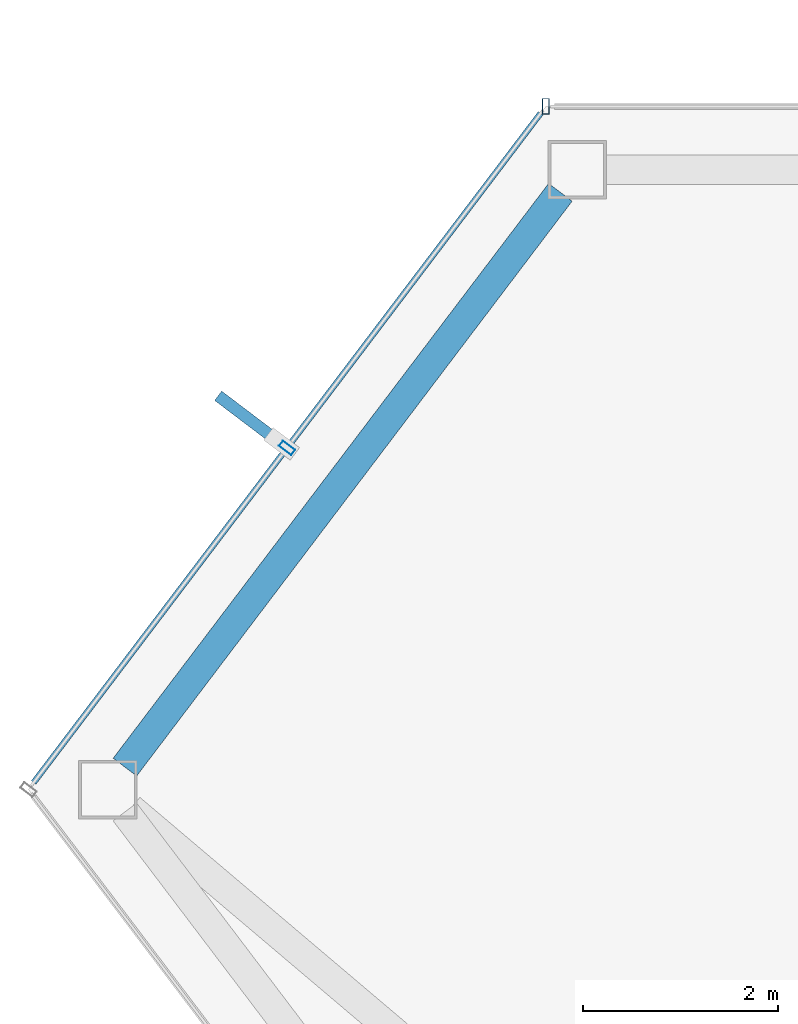
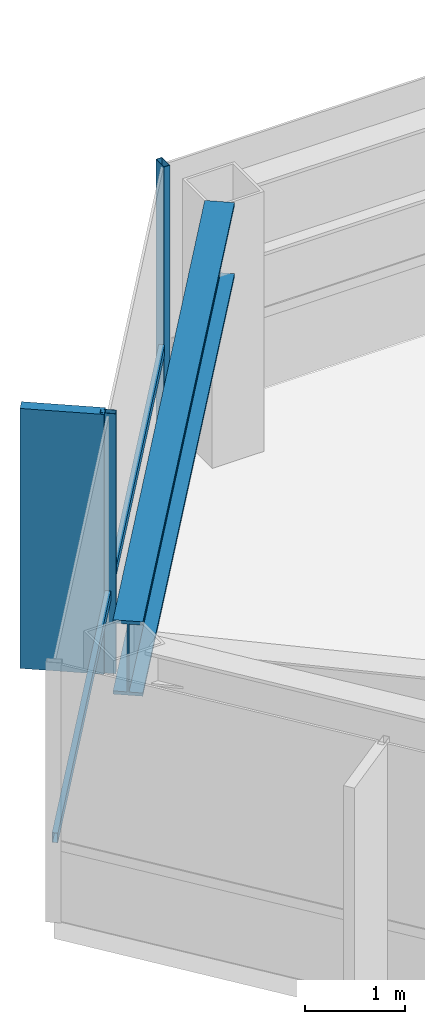
# One storey, part 12 of 27: 4 members, 1 beam, 2 elements without a shape of their own.
"""IFC4 building model written with IfcOpenShell, lengths in metres."""

from ifc_helpers import new_model, si_unit, direction, frame, origin, origin_2d, place, context, subcontext, project, spatial, rectangle, hollow_rectangle, i_section, extrude, material, layer, layer_set, material_profile, profile_set, type_object, element, aggregate, save


model = new_model("IFC4")

# Units and contexts
model_context = context("Model", 3, precision=1e-05, world=origin(), true_north=direction((0.0, 1.0)))
body_context = subcontext(model_context, "Body", "Model", "MODEL_VIEW")
ifc_project = project(units=[si_unit("LENGTHUNIT", "METRE"), si_unit("AREAUNIT", "SQUARE_METRE"), si_unit("VOLUMEUNIT", "CUBIC_METRE"), si_unit("PLANEANGLEUNIT", "RADIAN"), si_unit("MASSUNIT", "GRAM", prefix="KILO")], contexts=[model_context])

# Site, building, storey
site_placement = place(None, origin())
site = spatial("IfcSite", under=ifc_project, at=site_placement, CompositionType="ELEMENT")
building_placement = place(site_placement, origin())
building = spatial("IfcBuilding", under=site, at=building_placement, Name="Zarrinselat Tower", CompositionType="ELEMENT")
storey_placement = place(building_placement, frame((0.0, 0.0, 229.159912109375)))
storey = spatial("IfcBuildingStorey", under=building, at=storey_placement, Name="L57", CompositionType="ELEMENT", Elevation=229.159912109375)

# Beam
ifc_material_1 = material(Name="Steel S460M", Category="steel")
ifc_material_profile_1 = material_profile(ifc_material_1, i_section(OverallWidth=0.302001953125, OverallDepth=0.909912109375, WebThickness=0.02099609375, FlangeThickness=0.0400390625, at=origin_2d()), Name="HEM 900")
ifc_profile_set_1 = profile_set([ifc_material_profile_1], Name="Steel S460M")
beam_type = type_object("IfcBeamType", Name="BM-HEM900", PredefinedType="BEAM", material=ifc_profile_set_1)
beam_placement = place(storey_placement, frame((16.30078125, 41.4111328125, 2.72509765625), z_axis=(0.603848777662, 0.797098898328, 0.0), x_axis=(-0.797098898328, 0.603848777662, 0.0)))
element("IfcBeam", 1, at=beam_placement, inside=storey, type_object=beam_type, Name="L57 Perimeter Spandrel Girder SP05", PredefinedType="BEAM", context=body_context, shape_type="SweptSolid", body=[
    extrude(i_section(OverallWidth=0.302001953125, OverallDepth=0.909912109375, WebThickness=0.02099609375, FlangeThickness=0.0400390625, at=origin_2d()), origin(), (0.0, 0.0, 1.0), 7.385498046875),
])

# Curtain wall, member
ifc_material_2 = material(Name="Extruded Aluminium Alloy EN AW-6063 T6", Category="aluminium")
ifc_layer = layer(ifc_material_2, 0.169921875)
ifc_layer_set = layer_set([ifc_layer], Name="Extruded Aluminium Alloy EN AW-6063 T6")
curtain_wall_type = type_object("IfcCurtainWallType", Name="CWS-RES", PredefinedType="NOTDEFINED", material=ifc_layer_set)
curtain_wall_1_placement = place(storey_placement, origin())
curtain_wall_1 = element("IfcCurtainWall", 2, at=curtain_wall_1_placement, inside=storey, type_object=curtain_wall_type, Name="L57 Unitised Curtain Wall CW-L57-E01", PredefinedType="NOTDEFINED")
ifc_material_3 = material(Name="Extruded Aluminium Alloy EN AW-6063 T6", Category="aluminium")
ifc_material_profile_2 = material_profile(ifc_material_3, hollow_rectangle(XDim=0.070068359375, YDim=0.159912109375, WallThickness=0.00390625, at=origin_2d()), Name="RHS 160x70x4")
ifc_profile_set_2 = profile_set([ifc_material_profile_2], Name="Extruded Aluminium Alloy EN AW-6063 T6")
member_type_1 = type_object("IfcMemberType", Name="MEM-CW-MUL2", PredefinedType="MULLION", material=ifc_profile_set_2)
member_1_placement = place(storey_placement, frame((20.611572265625, 48.177734375, 0.0), z_axis=(0.0, 0.0, 1.0), x_axis=(-1.0, 0.0, 0.0)))
member_1 = element("IfcMember", 3, at=member_1_placement, type_object=member_type_1, Name="CW-L57-E01 Mullion 12", PredefinedType="MULLION", context=body_context, shape_type="SweptSolid", body=[
    extrude(hollow_rectangle(XDim=0.070068359375, YDim=0.159912109375, WallThickness=0.00390625, at=origin_2d()), origin(), (0.0, 0.0, 1.0), 3.18017578125),
])
aggregate(curtain_wall_1, [member_1])

# Curtain wall, members
curtain_wall_2_placement = place(storey_placement, origin())
curtain_wall_2 = element("IfcCurtainWall", 4, at=curtain_wall_2_placement, inside=storey, type_object=curtain_wall_type, Name="L57 Unitised Curtain Wall CW-L57-E02", PredefinedType="NOTDEFINED")
member_2_placement = place(storey_placement, frame((17.96142578125, 44.6796875, 0.0), z_axis=(0.0, 0.0, 1.0), x_axis=(-0.603855713814, -0.797093643742, 0.0)))
member_2 = element("IfcMember", 5, at=member_2_placement, type_object=member_type_1, Name="CW-L57-E02 Mullion 1", PredefinedType="MULLION", context=body_context, shape_type="SweptSolid", body=[
    extrude(hollow_rectangle(XDim=0.070068359375, YDim=0.159912109375, WallThickness=0.00390625, at=origin_2d()), origin(), (0.0, 0.0, 1.0), 3.18017578125),
])
ifc_material_4 = material(Name="Extruded Aluminium Alloy EN AW-6063 T6", Category="aluminium")
ifc_material_profile_3 = material_profile(ifc_material_4, hollow_rectangle(XDim=0.06005859375, YDim=0.1201171875, WallThickness=0.00390625, at=origin_2d()), Name="RHS 120x60x4")
ifc_profile_set_3 = profile_set([ifc_material_profile_3], Name="Extruded Aluminium Alloy EN AW-6063 T6")
member_type_2 = type_object("IfcMemberType", Name="MEM-CW-TRN2", PredefinedType="USERDEFINED", material=ifc_profile_set_3)
member_3_placement = place(storey_placement, frame((20.55712890625, 48.106201171875, 0.9501953125), z_axis=(-0.603854954358, -0.797094219084, 0.0), x_axis=(0.797094219084, -0.603854954358, 0.0)))
member_3 = element("IfcMember", 6, at=member_3_placement, type_object=member_type_2, Name="CW-L57-E02 Transom 1", ObjectType="TRANSOM", PredefinedType="USERDEFINED", context=body_context, shape_type="SweptSolid", body=[
    extrude(hollow_rectangle(XDim=0.06005859375, YDim=0.1201171875, WallThickness=0.00390625, at=origin_2d()), origin(), (0.0, 0.0, 1.0), 8.597412109375),
])
ifc_material_5 = material(Name="Honed Cream Travertine Stone", Category="masonry")
ifc_material_profile_4 = material_profile(ifc_material_5, rectangle(XDim=0.1201171875, YDim=0.85009765625, at=origin_2d()), Name="FIN 850x120")
ifc_profile_set_4 = profile_set([ifc_material_profile_4], Name="Honed Cream Travertine Stone")
member_type_3 = type_object("IfcMemberType", Name="MEM-STONE-FIN", PredefinedType="USERDEFINED", material=ifc_profile_set_4)
member_4_placement = place(storey_placement, frame((17.5947265625, 44.95751953125, 0.0), z_axis=(0.0, 0.0, 1.0), x_axis=(0.603855713814, 0.797093643742, 0.0)))
member_4 = element("IfcMember", 7, at=member_4_placement, type_object=member_type_3, Name="L57 Stone Shading Fin CW-L57-E02-01", ObjectType="FIN", PredefinedType="USERDEFINED", context=body_context, shape_type="SweptSolid", body=[
    extrude(rectangle(XDim=0.1201171875, YDim=0.85009765625, at=origin_2d()), origin(), (0.0, 0.0, 1.0), 3.18017578125),
])
aggregate(curtain_wall_2, [member_2, member_4, member_3])

save(model, "model.ifc")
